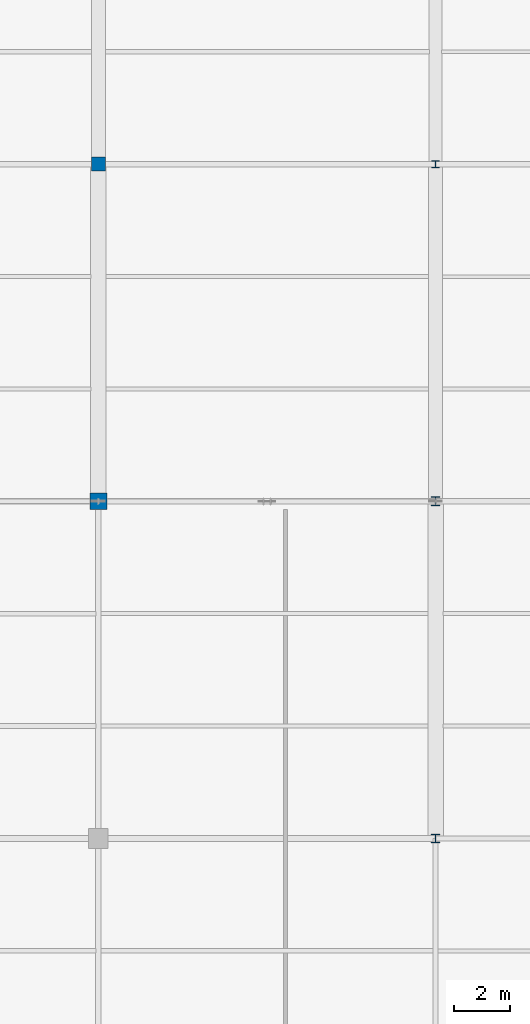
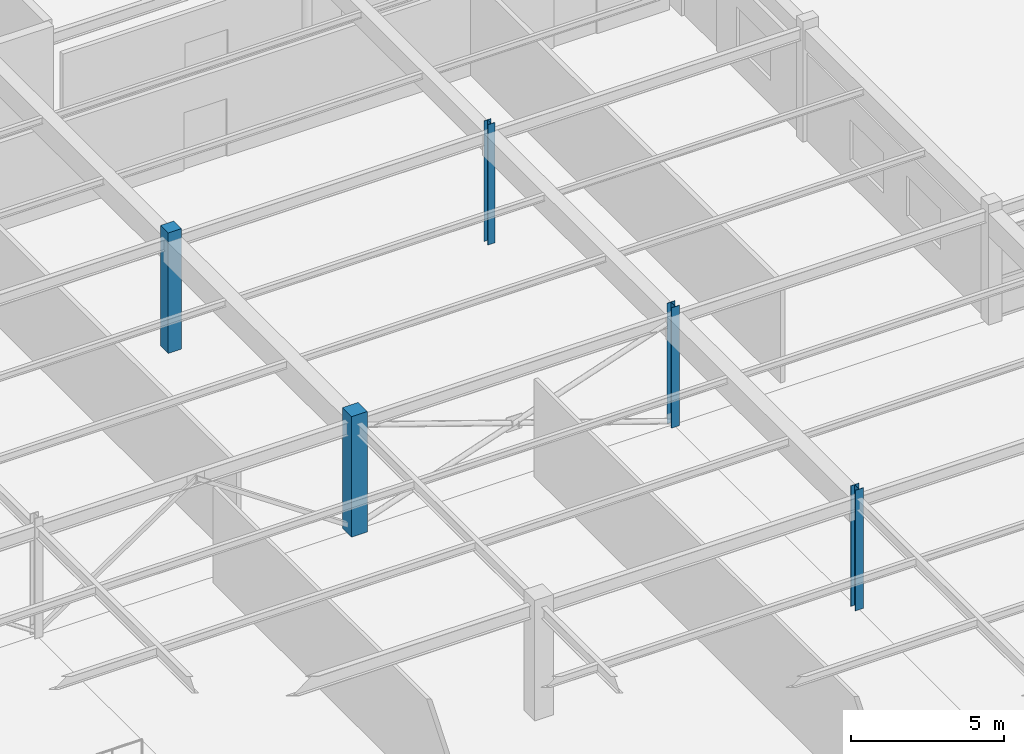
# One storey, part 8 of 199: 5 columns.
"""IFC4 building model written with IfcOpenShell, lengths in metres."""

from ifc_helpers import new_model, si_unit, direction, frame, origin, origin_2d, place, context, subcontext, project, spatial, rectangle, i_section, extrude, material, material_profile, profile_set, type_object, element, save


model = new_model("IFC4")

# Units and contexts
model_context = context("Model", 3, precision=1e-05, world=origin(), true_north=direction((0.0, 1.0)))
body_context = subcontext(model_context, "Body", "Model", "MODEL_VIEW")
ifc_project = project(units=[si_unit("LENGTHUNIT", "METRE"), si_unit("AREAUNIT", "SQUARE_METRE"), si_unit("VOLUMEUNIT", "CUBIC_METRE"), si_unit("PLANEANGLEUNIT", "RADIAN"), si_unit("MASSUNIT", "GRAM", prefix="KILO")], contexts=[model_context])

# Site, building, storey
site_placement = place(None, origin())
site = spatial("IfcSite", under=ifc_project, at=site_placement, CompositionType="ELEMENT")
building_placement = place(site_placement, origin())
building = spatial("IfcBuilding", under=site, at=building_placement, Name="Tarnwether General Hospital", CompositionType="ELEMENT")
storey_placement = place(building_placement, origin())
storey = spatial("IfcBuildingStorey", under=building, at=storey_placement, Name="L00", CompositionType="ELEMENT", Elevation=0.0)

# Columns
ifc_material_1 = material(Name="Steel Grade 350 (350 MPa)", Category="steel")
ifc_material_profile_1 = material_profile(ifc_material_1, i_section(OverallWidth=0.306884765625, OverallDepth=0.31494140625, WebThickness=0.011962890625, FlangeThickness=0.018798828125, at=origin_2d()), Name="310UC118")
ifc_profile_set_1 = profile_set([ifc_material_profile_1], Name="Steel Grade 350 (350 MPa)")
column_type_1 = type_object("IfcColumnType", Name="COL-07", PredefinedType="COLUMN", material=ifc_profile_set_1)
column_1_placement = place(storey_placement, frame((48.0, 33.60009765625, 0.0), z_axis=(0.0, 0.0, 1.0), x_axis=(1.0, 0.0, 0.0)))
element("IfcColumn", 1, at=column_1_placement, inside=storey, type_object=column_type_1, Name="Column COLG-L00-4800_3360", PredefinedType="COLUMN", context=body_context, shape_type="SweptSolid", body=[
    extrude(i_section(OverallWidth=0.306884765625, OverallDepth=0.31494140625, WebThickness=0.011962890625, FlangeThickness=0.018798828125, at=origin_2d()), origin(), (0.0, 0.0, 1.0), 4.800048828125),
])
ifc_material_2 = material(Name="Steel Grade 350 (350 MPa)", Category="steel")
ifc_material_profile_2 = material_profile(ifc_material_2, i_section(OverallWidth=0.304931640625, OverallDepth=0.30810546875, WebThickness=0.010009765625, FlangeThickness=0.015380859375, at=origin_2d()), Name="310UC96.8")
ifc_profile_set_2 = profile_set([ifc_material_profile_2], Name="Steel Grade 350 (350 MPa)")
column_type_2 = type_object("IfcColumnType", Name="COL-08", PredefinedType="COLUMN", material=ifc_profile_set_2)
column_2_placement = place(storey_placement, frame((48.0, 45.60009765625, 0.0), z_axis=(0.0, 0.0, 1.0), x_axis=(1.0, 0.0, 0.0)))
element("IfcColumn", 2, at=column_2_placement, inside=storey, type_object=column_type_2, Name="Column COLG-L00-4800_4560", PredefinedType="COLUMN", context=body_context, shape_type="SweptSolid", body=[
    extrude(i_section(OverallWidth=0.304931640625, OverallDepth=0.30810546875, WebThickness=0.010009765625, FlangeThickness=0.015380859375, at=origin_2d()), origin(), (0.0, 0.0, 1.0), 4.800048828125),
])
ifc_material_3 = material(Name="Steel Grade 350 (350 MPa)", Category="steel")
ifc_material_profile_3 = material_profile(ifc_material_3, i_section(OverallWidth=0.256103515625, OverallDepth=0.260009765625, WebThickness=0.010498046875, FlangeThickness=0.017333984375, at=origin_2d()), Name="250UC89.5")
ifc_profile_set_3 = profile_set([ifc_material_profile_3], Name="Steel Grade 350 (350 MPa)")
column_type_3 = type_object("IfcColumnType", Name="COL-09", PredefinedType="COLUMN", material=ifc_profile_set_3)
column_3_placement = place(storey_placement, frame((48.0, 57.60009765625, 0.0), z_axis=(0.0, 0.0, 1.0), x_axis=(1.0, 0.0, 0.0)))
element("IfcColumn", 3, at=column_3_placement, inside=storey, type_object=column_type_3, Name="Column COLG-L00-4800_5760", PredefinedType="COLUMN", context=body_context, shape_type="SweptSolid", body=[
    extrude(i_section(OverallWidth=0.256103515625, OverallDepth=0.260009765625, WebThickness=0.010498046875, FlangeThickness=0.017333984375, at=origin_2d()), origin(), (0.0, 0.0, 1.0), 4.800048828125),
])
ifc_material_4 = material(Name="Concrete 50 MPa", Category="concrete")
ifc_material_profile_4 = material_profile(ifc_material_4, rectangle(XDim=0.60009765625, YDim=0.60009765625, at=origin_2d()), Name="RC-COL-600x600")
ifc_profile_set_4 = profile_set([ifc_material_profile_4], Name="Concrete 50 MPa")
column_type_4 = type_object("IfcColumnType", Name="COL-19", PredefinedType="COLUMN", material=ifc_profile_set_4)
column_4_placement = place(storey_placement, frame((36.0, 45.60009765625, 0.0), z_axis=(0.0, 0.0, 1.0), x_axis=(0.0, 1.0, 0.0)))
element("IfcColumn", 4, at=column_4_placement, inside=storey, type_object=column_type_4, Name="Column COLG-L00-3600_4560", PredefinedType="COLUMN", context=body_context, shape_type="SweptSolid", body=[
    extrude(rectangle(XDim=0.60009765625, YDim=0.60009765625, at=origin_2d()), origin(), (0.0, 0.0, 1.0), 4.800048828125),
])
ifc_material_5 = material(Name="Concrete 50 MPa", Category="concrete")
ifc_material_profile_5 = material_profile(ifc_material_5, rectangle(XDim=0.5, YDim=0.5, at=origin_2d()), Name="RC-COL-500x500")
ifc_profile_set_5 = profile_set([ifc_material_profile_5], Name="Concrete 50 MPa")
column_type_5 = type_object("IfcColumnType", Name="COL-20", PredefinedType="COLUMN", material=ifc_profile_set_5)
column_5_placement = place(storey_placement, frame((36.0, 57.60009765625, 0.0), z_axis=(0.0, 0.0, 1.0), x_axis=(0.0, 1.0, 0.0)))
element("IfcColumn", 5, at=column_5_placement, inside=storey, type_object=column_type_5, Name="Column COLG-L00-3600_5760", PredefinedType="COLUMN", context=body_context, shape_type="SweptSolid", body=[
    extrude(rectangle(XDim=0.5, YDim=0.5, at=origin_2d()), origin(), (0.0, 0.0, 1.0), 4.800048828125),
])

save(model, "model.ifc")
